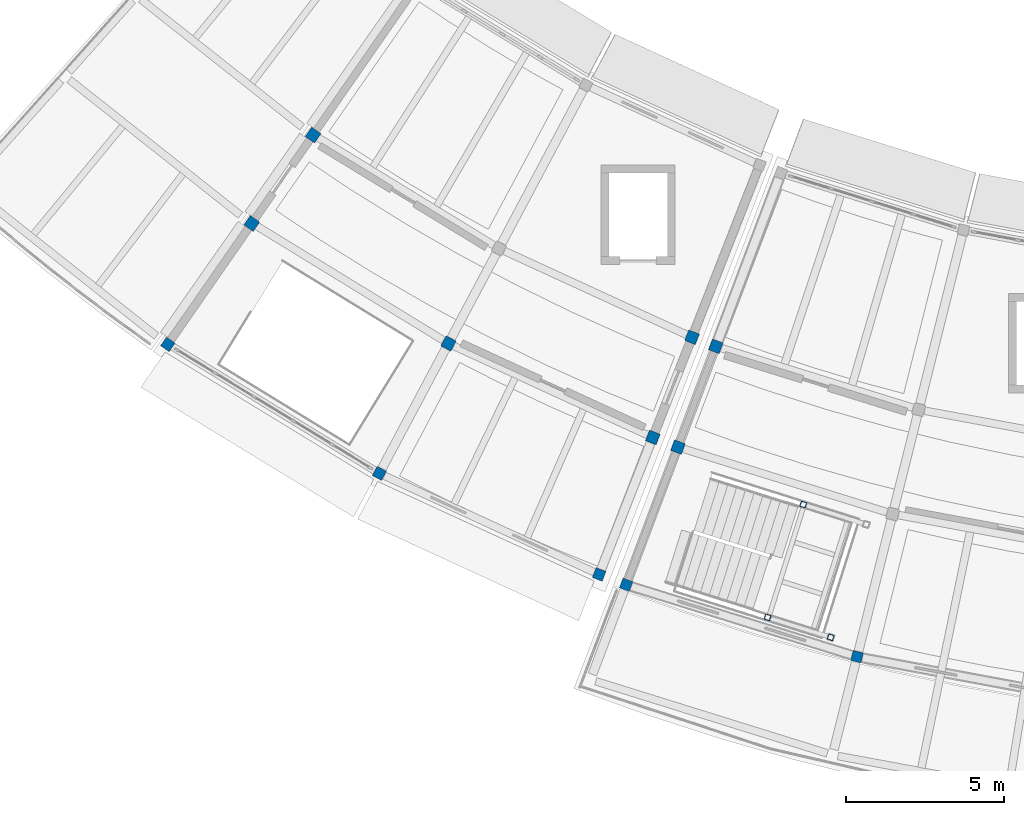
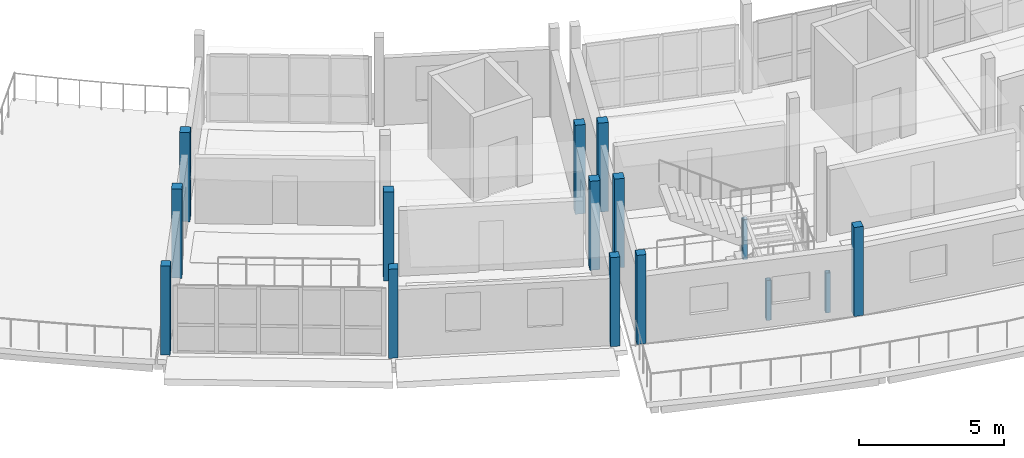
# One storey, part 1 of 24: 15 columns.
"""IFC4 building model written with IfcOpenShell, lengths in metres."""

from ifc_helpers import new_model, si_unit, direction, frame, origin, origin_2d, place, context, subcontext, project, spatial, rectangle, hollow_rectangle, extrude, material, material_profile, profile_set, type_object, element, save


model = new_model("IFC4")

# Units and contexts
model_context = context("Model", 3, precision=1e-05, world=origin(), true_north=direction((0.0, 1.0)))
body_context = subcontext(model_context, "Body", "Model", "MODEL_VIEW")
ifc_project = project(units=[si_unit("LENGTHUNIT", "METRE"), si_unit("AREAUNIT", "SQUARE_METRE"), si_unit("VOLUMEUNIT", "CUBIC_METRE"), si_unit("PLANEANGLEUNIT", "RADIAN"), si_unit("MASSUNIT", "GRAM", prefix="KILO")], contexts=[model_context])

# Site, building, storey
site_placement = place(None, origin())
site = spatial("IfcSite", under=ifc_project, at=site_placement, CompositionType="ELEMENT")
building_placement = place(site_placement, origin())
building = spatial("IfcBuilding", under=site, at=building_placement, Name="Caldaven Crescent School", CompositionType="ELEMENT")
storey_placement = place(building_placement, frame((0.0, 0.0, 15.639892578125)))
storey = spatial("IfcBuildingStorey", under=building, at=storey_placement, Name="L04", CompositionType="ELEMENT", Elevation=15.639892578125)

# Columns
ifc_material_1 = material(Name="Glulam MLE24h (GL28h)", Category="wood")
ifc_material_profile_1 = material_profile(ifc_material_1, rectangle(XDim=0.330078125, YDim=0.330078125, at=origin_2d()), Name="MLE 330x330")
ifc_profile_set_1 = profile_set([ifc_material_profile_1], Name="Glulam MLE24h (GL28h)")
column_type_1 = type_object("IfcColumnType", Name="COL-GL33", PredefinedType="COLUMN", material=ifc_profile_set_1)
for number, where, z_axis, x_axis, name in (
    (1, (50.166259765625, 41.49365234375, 0.0), (0.0, 0.0, 1.0), (-0.570283536751, -0.821447921484, 0.0), "COL-V4W-L04-00-3"),
    (2, (56.8505859375, 37.41650390625, 0.0), (0.0, 0.0, 1.0), (-0.469471562786, -0.882947592859, 0.0), "COL-V4W-L04-01-3"),
    (3, (63.79638671875, 34.22216796875, 0.0), (0.0, 0.0, 1.0), (-0.364714278886, -0.931119484694, 0.0), "COL-V4W-L04-02-3"),
    (4, (64.6494140625, 33.894775390625, 0.0), (0.0, 0.0, 1.0), (-0.352005016254, -0.93599811353, 0.0), "COL-V5-L04-00-3"),
    (5, (71.948486328125, 31.620849609375, 0.0), (0.0, 0.0, 1.0), (-0.2419218956, -0.970295726276, 0.0), "COL-V5-L04-01-3"),
):
    element("IfcColumn", number, at=place(storey_placement, frame(where, z_axis=z_axis, x_axis=x_axis)), inside=storey, type_object=column_type_1, Name=name, PredefinedType="COLUMN", context=body_context, shape_type="SweptSolid", body=[
        extrude(rectangle(XDim=0.330078125, YDim=0.330078125, at=origin_2d()), origin(), (0.0, 0.0, 1.0), 3.739990234375),
    ])
ifc_material_profile_2 = material_profile(ifc_material_1, rectangle(XDim=0.360107421875, YDim=0.360107421875, at=origin_2d()), Name="MLE 360x360")
ifc_profile_set_2 = profile_set([ifc_material_profile_2], Name="Glulam MLE24h (GL28h)")
column_type_2 = type_object("IfcColumnType", Name="COL-GL36", PredefinedType="COLUMN", material=ifc_profile_set_2)
for number, where, z_axis, x_axis, name in (
    (6, (54.756591796875, 48.106689453125, 0.0), (0.0, 0.0, 1.0), (-0.570283536751, -0.821447921484, 0.0), "COL-V4W-L04-00-1"),
    (7, (52.81787109375, 45.313720703125, 0.0), (0.0, 0.0, 1.0), (-0.570283536751, -0.821447921484, 0.0), "COL-V4W-L04-00-2"),
    (8, (59.03369140625, 41.522216796875, 0.0), (0.0, 0.0, 1.0), (-0.469471562786, -0.882947592859, 0.0), "COL-V4W-L04-01-2"),
    (9, (66.73291015625, 41.71728515625, 0.0), (0.0, 0.0, 1.0), (-0.364714278886, -0.931119484694, 0.0), "COL-V4W-L04-02-1"),
    (10, (65.49267578125, 38.5517578125, 0.0), (0.0, 0.0, 1.0), (-0.364714278886, -0.931119484694, 0.0), "COL-V4W-L04-02-2"),
    (11, (67.482421875, 41.4296875, 0.0), (0.0, 0.0, 1.0), (-0.352005016254, -0.93599811353, 0.0), "COL-V5-L04-00-1"),
    (12, (66.285888671875, 38.247314453125, 0.0), (0.0, 0.0, 1.0), (-0.352005016254, -0.93599811353, 0.0), "COL-V5-L04-00-2"),
):
    element("IfcColumn", number, at=place(storey_placement, frame(where, z_axis=z_axis, x_axis=x_axis)), inside=storey, type_object=column_type_2, Name=name, PredefinedType="COLUMN", context=body_context, shape_type="SweptSolid", body=[
        extrude(rectangle(XDim=0.360107421875, YDim=0.360107421875, at=origin_2d()), origin(), (0.0, 0.0, 1.0), 3.739990234375),
    ])
ifc_material_2 = material(Name="Steel ASTM A572 Grade 50", Category="steel")
ifc_material_profile_3 = material_profile(ifc_material_2, hollow_rectangle(XDim=0.179931640625, YDim=0.179931640625, WallThickness=0.010009765625, InnerFilletRadius=0.010009765625, OuterFilletRadius=0.02001953125, at=origin_2d()), Name="HSS 180x180x10")
ifc_profile_set_3 = profile_set([ifc_material_profile_3], Name="Steel ASTM A572 Grade 50")
column_type_3 = type_object("IfcColumnType", Name="COL-HS18", PredefinedType="COLUMN", material=ifc_profile_set_3)
for number, where, z_axis, x_axis, name in (
    (13, (69.12109375, 32.864990234375, 0.0), (0.0, 0.0, 1.0), (0.953716950748, -0.300705799504, 0.0), "COL-STPOST-ST2-L04-A"),
    (14, (70.245849609375, 36.431884765625, 0.0), (0.0, 0.0, 1.0), (0.953716950748, -0.300705799504, 0.0), "COL-STPOST-ST2-L04-B"),
    (15, (71.114501953125, 32.236328125, 0.0), (0.0, 0.0, 1.0), (0.953716950748, -0.300705799504, 0.0), "COL-STPOST-ST2-L04-C"),
):
    element("IfcColumn", number, at=place(storey_placement, frame(where, z_axis=z_axis, x_axis=x_axis)), inside=storey, type_object=column_type_3, Name=name, PredefinedType="COLUMN", context=body_context, shape_type="SweptSolid", body=[
        extrude(hollow_rectangle(XDim=0.179931640625, YDim=0.179931640625, WallThickness=0.010009765625, InnerFilletRadius=0.010009765625, OuterFilletRadius=0.02001953125, at=origin_2d()), origin(), (0.0, 0.0, 1.0), 1.675048828125),
    ])

save(model, "model.ifc")
